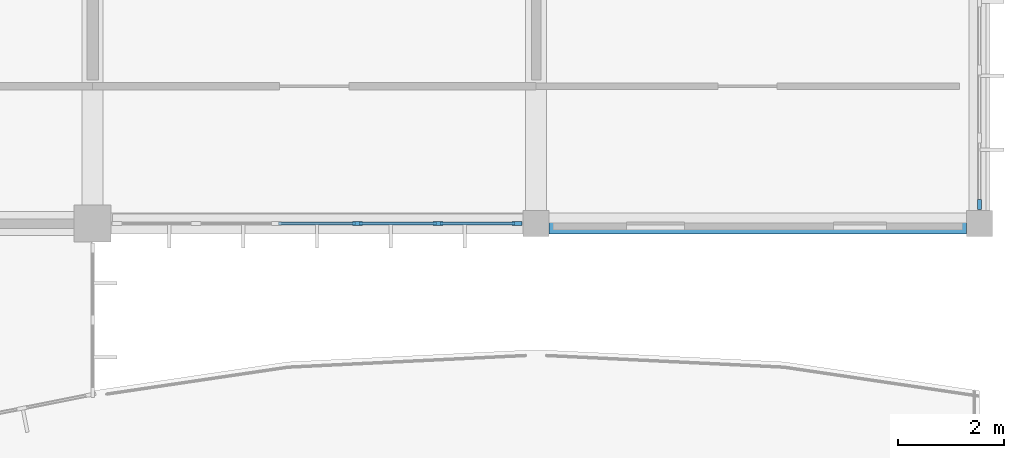
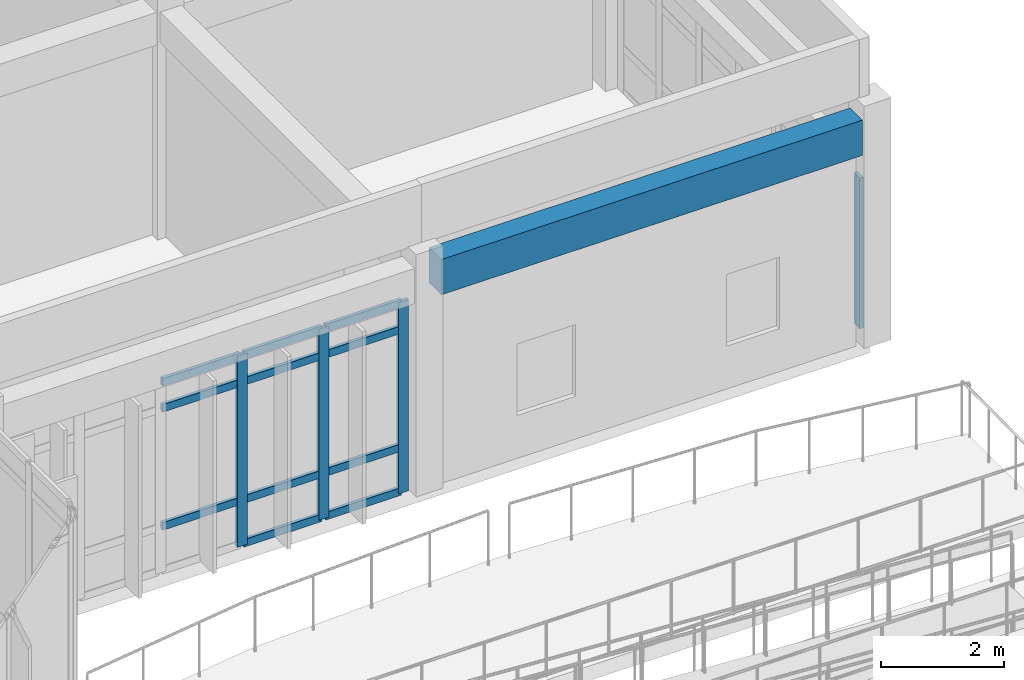
# One storey, part 57 of 138: 15 members, 1 beam, 2 elements without a shape of their own.
"""IFC4 building model written with IfcOpenShell, lengths in metres."""

from ifc_helpers import new_model, si_unit, direction, frame, origin, origin_2d, place, context, subcontext, project, spatial, rectangle, extrude, material, layer, layer_set, material_profile, profile_set, type_object, element, aggregate, save


model = new_model("IFC4")

# Units and contexts
model_context = context("Model", 3, precision=1e-05, world=origin(), true_north=direction((0.0, 1.0)))
body_context = subcontext(model_context, "Body", "Model", "MODEL_VIEW")
ifc_project = project(units=[si_unit("LENGTHUNIT", "METRE"), si_unit("AREAUNIT", "SQUARE_METRE"), si_unit("VOLUMEUNIT", "CUBIC_METRE"), si_unit("PLANEANGLEUNIT", "RADIAN"), si_unit("MASSUNIT", "GRAM", prefix="KILO")], contexts=[model_context])

# Site, building, storey
site_placement = place(None, origin())
site = spatial("IfcSite", under=ifc_project, at=site_placement, CompositionType="ELEMENT")
building_placement = place(site_placement, origin())
building = spatial("IfcBuilding", under=site, at=building_placement, Name="Bramfleet General Hospital", CompositionType="ELEMENT")
storey_placement = place(building_placement, origin())
storey = spatial("IfcBuildingStorey", under=building, at=storey_placement, Name="L00", CompositionType="ELEMENT", Elevation=0.0)

# Beam
ifc_material_1 = material(Name="Concrete C35/45", Category="concrete")
ifc_material_profile_1 = material_profile(ifc_material_1, rectangle(XDim=0.39990234375, YDim=0.699951171875, at=origin_2d()), Name="RC SP 700x400")
ifc_profile_set_1 = profile_set([ifc_material_profile_1], Name="Concrete C35/45")
beam_type = type_object("IfcBeamType", Name="BM-SP700", PredefinedType="SPANDREL", material=ifc_profile_set_1)
beam_placement = place(storey_placement, frame((176.64990234375, 92.39990234375, 4.14990234375), z_axis=(1.0, 0.0, 0.0), x_axis=(0.0, 1.0, 0.0)))
element("IfcBeam", 1, at=beam_placement, inside=storey, type_object=beam_type, Name="L00 Grid Beam X 21-11", PredefinedType="SPANDREL", context=body_context, shape_type="SweptSolid", body=[
    extrude(rectangle(XDim=0.39990234375, YDim=0.699951171875, at=origin_2d()), origin(), (0.0, 0.0, 1.0), 7.900146484375),
])

# Curtain wall, member
ifc_material_2 = material(Name="Anodised aluminium and low-E triple glazing", Category="aluminium")
ifc_layer_1 = layer(ifc_material_2, 0.179931640625, Name="CWT-CW-08")
ifc_layer_set_1 = layer_set([ifc_layer_1], Name="Anodised aluminium and low-E triple glazing")
curtain_wall_type_1 = type_object("IfcCurtainWallType", Name="CWT-CW-08", PredefinedType="USERDEFINED", material=ifc_layer_set_1)
curtain_wall_1_placement = place(storey_placement, origin())
curtain_wall_1 = element("IfcCurtainWall", 2, at=curtain_wall_1_placement, inside=storey, type_object=curtain_wall_type_1, Name="L00 Curtain Wall 8", ObjectType="Unitised curtain wall", PredefinedType="USERDEFINED")
ifc_material_3 = material(Name="Structural timber GL28h", Category="wood")
ifc_material_profile_2 = material_profile(ifc_material_3, rectangle(XDim=0.070068359375, YDim=0.18994140625, at=origin_2d()), Name="LARCH 190x70")
ifc_profile_set_2 = profile_set([ifc_material_profile_2], Name="Structural timber GL28h")
member_type_1 = type_object("IfcMemberType", Name="CWM-LARCH450", PredefinedType="MULLION", material=ifc_profile_set_2)
member_1_placement = place(storey_placement, frame((184.800048828125, 92.760009765625, 0.0), z_axis=(0.0, 0.0, 1.0), x_axis=(1.0, 0.0, 0.0)))
member_1 = element("IfcMember", 3, at=member_1_placement, type_object=member_type_1, Name="CW-08 mullion 7", PredefinedType="MULLION", context=body_context, shape_type="SweptSolid", body=[
    extrude(rectangle(XDim=0.070068359375, YDim=0.18994140625, at=origin_2d()), origin(), (0.0, 0.0, 1.0), 2.989990234375),
])
aggregate(curtain_wall_1, [member_1])

# Curtain wall, members
ifc_layer_2 = layer(ifc_material_2, 0.179931640625, Name="CWT-CW-09")
ifc_layer_set_2 = layer_set([ifc_layer_2], Name="Anodised aluminium and low-E triple glazing")
curtain_wall_type_2 = type_object("IfcCurtainWallType", Name="CWT-CW-09", PredefinedType="USERDEFINED", material=ifc_layer_set_2)
curtain_wall_2_placement = place(storey_placement, origin())
curtain_wall_2 = element("IfcCurtainWall", 4, at=curtain_wall_2_placement, inside=storey, type_object=curtain_wall_type_2, Name="L00 Curtain Wall 9", ObjectType="Unitised curtain wall", PredefinedType="USERDEFINED")
member_2_placement = place(storey_placement, frame((176.0400390625, 92.39990234375, 0.0), z_axis=(0.0, 0.0, 1.0), x_axis=(0.0, -1.0, 0.0)))
member_2 = element("IfcMember", 5, at=member_2_placement, type_object=member_type_1, Name="CW-09 mullion 1", PredefinedType="MULLION", context=body_context, shape_type="SweptSolid", body=[
    extrude(rectangle(XDim=0.070068359375, YDim=0.18994140625, at=origin_2d()), origin(), (0.0, 0.0, 1.0), 3.7900390625),
])
member_3_placement = place(storey_placement, frame((174.544921875, 92.39990234375, 0.0), z_axis=(0.0, 0.0, 1.0), x_axis=(0.0, -1.0, 0.0)))
member_3 = element("IfcMember", 6, at=member_3_placement, type_object=member_type_1, Name="CW-09 mullion 2", PredefinedType="MULLION", context=body_context, shape_type="SweptSolid", body=[
    extrude(rectangle(XDim=0.070068359375, YDim=0.18994140625, at=origin_2d()), origin(), (0.0, 0.0, 1.0), 3.7900390625),
])
member_4_placement = place(storey_placement, frame((173.014892578125, 92.39990234375, 0.0), z_axis=(0.0, 0.0, 1.0), x_axis=(0.0, -1.0, 0.0)))
member_4 = element("IfcMember", 7, at=member_4_placement, type_object=member_type_1, Name="CW-09 mullion 3", PredefinedType="MULLION", context=body_context, shape_type="SweptSolid", body=[
    extrude(rectangle(XDim=0.070068359375, YDim=0.18994140625, at=origin_2d()), origin(), (0.0, 0.0, 1.0), 3.7900390625),
])
ifc_material_profile_3 = material_profile(ifc_material_3, rectangle(XDim=0.06494140625, YDim=0.14990234375, at=origin_2d()), Name="LARCH 150x65")
ifc_profile_set_3 = profile_set([ifc_material_profile_3], Name="Structural timber GL28h")
member_type_2 = type_object("IfcMemberType", Name="CWT-LARCH220", PredefinedType="USERDEFINED", material=ifc_profile_set_3)
member_5_placement = place(storey_placement, frame((176.0048828125, 92.39990234375, 0.032470703125), z_axis=(-1.0, 0.0, 0.0), x_axis=(0.0, -1.0, 0.0)))
member_5 = element("IfcMember", 8, at=member_5_placement, type_object=member_type_2, Name="CW-09 transom 1.1", ObjectType="TRANSOM", PredefinedType="USERDEFINED", context=body_context, shape_type="SweptSolid", body=[
    extrude(rectangle(XDim=0.06494140625, YDim=0.14990234375, at=origin_2d()), origin(), (0.0, 0.0, 1.0), 1.4248046875),
])
member_6_placement = place(storey_placement, frame((176.0048828125, 92.39990234375, 0.89990234375), z_axis=(-1.0, 0.0, 0.0), x_axis=(0.0, -1.0, 0.0)))
member_6 = element("IfcMember", 9, at=member_6_placement, type_object=member_type_2, Name="CW-09 transom 1.2", ObjectType="TRANSOM", PredefinedType="USERDEFINED", context=body_context, shape_type="SweptSolid", body=[
    extrude(rectangle(XDim=0.06494140625, YDim=0.14990234375, at=origin_2d()), origin(), (0.0, 0.0, 1.0), 1.4248046875),
])
member_7_placement = place(storey_placement, frame((176.0048828125, 92.39990234375, 3.239990234375), z_axis=(-1.0, 0.0, 0.0), x_axis=(0.0, -1.0, 0.0)))
member_7 = element("IfcMember", 10, at=member_7_placement, type_object=member_type_2, Name="CW-09 transom 1.3", ObjectType="TRANSOM", PredefinedType="USERDEFINED", context=body_context, shape_type="SweptSolid", body=[
    extrude(rectangle(XDim=0.06494140625, YDim=0.14990234375, at=origin_2d()), origin(), (0.0, 0.0, 1.0), 1.4248046875),
])
member_8_placement = place(storey_placement, frame((176.0048828125, 92.39990234375, 3.757568359375), z_axis=(-1.0, 0.0, 0.0), x_axis=(0.0, -1.0, 0.0)))
member_8 = element("IfcMember", 11, at=member_8_placement, type_object=member_type_2, Name="CW-09 transom 1.4", ObjectType="TRANSOM", PredefinedType="USERDEFINED", context=body_context, shape_type="SweptSolid", body=[
    extrude(rectangle(XDim=0.06494140625, YDim=0.14990234375, at=origin_2d()), origin(), (0.0, 0.0, 1.0), 1.4248046875),
])
member_9_placement = place(storey_placement, frame((174.510009765625, 92.39990234375, 0.032470703125), z_axis=(-1.0, 0.0, 0.0), x_axis=(0.0, -1.0, 0.0)))
member_9 = element("IfcMember", 12, at=member_9_placement, type_object=member_type_2, Name="CW-09 transom 2.1", ObjectType="TRANSOM", PredefinedType="USERDEFINED", context=body_context, shape_type="SweptSolid", body=[
    extrude(rectangle(XDim=0.06494140625, YDim=0.14990234375, at=origin_2d()), origin(), (0.0, 0.0, 1.0), 1.4599609375),
])
member_10_placement = place(storey_placement, frame((174.510009765625, 92.39990234375, 0.89990234375), z_axis=(-1.0, 0.0, 0.0), x_axis=(0.0, -1.0, 0.0)))
member_10 = element("IfcMember", 13, at=member_10_placement, type_object=member_type_2, Name="CW-09 transom 2.2", ObjectType="TRANSOM", PredefinedType="USERDEFINED", context=body_context, shape_type="SweptSolid", body=[
    extrude(rectangle(XDim=0.06494140625, YDim=0.14990234375, at=origin_2d()), origin(), (0.0, 0.0, 1.0), 1.4599609375),
])
member_11_placement = place(storey_placement, frame((174.510009765625, 92.39990234375, 3.239990234375), z_axis=(-1.0, 0.0, 0.0), x_axis=(0.0, -1.0, 0.0)))
member_11 = element("IfcMember", 14, at=member_11_placement, type_object=member_type_2, Name="CW-09 transom 2.3", ObjectType="TRANSOM", PredefinedType="USERDEFINED", context=body_context, shape_type="SweptSolid", body=[
    extrude(rectangle(XDim=0.06494140625, YDim=0.14990234375, at=origin_2d()), origin(), (0.0, 0.0, 1.0), 1.4599609375),
])
member_12_placement = place(storey_placement, frame((174.510009765625, 92.39990234375, 3.757568359375), z_axis=(-1.0, 0.0, 0.0), x_axis=(0.0, -1.0, 0.0)))
member_12 = element("IfcMember", 15, at=member_12_placement, type_object=member_type_2, Name="CW-09 transom 2.4", ObjectType="TRANSOM", PredefinedType="USERDEFINED", context=body_context, shape_type="SweptSolid", body=[
    extrude(rectangle(XDim=0.06494140625, YDim=0.14990234375, at=origin_2d()), origin(), (0.0, 0.0, 1.0), 1.4599609375),
])
member_13_placement = place(storey_placement, frame((172.97998046875, 92.39990234375, 0.89990234375), z_axis=(-1.0, 0.0, 0.0), x_axis=(0.0, -1.0, 0.0)))
member_13 = element("IfcMember", 16, at=member_13_placement, type_object=member_type_2, Name="CW-09 transom 3.2", ObjectType="TRANSOM", PredefinedType="USERDEFINED", context=body_context, shape_type="SweptSolid", body=[
    extrude(rectangle(XDim=0.06494140625, YDim=0.14990234375, at=origin_2d()), origin(), (0.0, 0.0, 1.0), 1.4599609375),
])
member_14_placement = place(storey_placement, frame((172.97998046875, 92.39990234375, 3.239990234375), z_axis=(-1.0, 0.0, 0.0), x_axis=(0.0, -1.0, 0.0)))
member_14 = element("IfcMember", 17, at=member_14_placement, type_object=member_type_2, Name="CW-09 transom 3.3", ObjectType="TRANSOM", PredefinedType="USERDEFINED", context=body_context, shape_type="SweptSolid", body=[
    extrude(rectangle(XDim=0.06494140625, YDim=0.14990234375, at=origin_2d()), origin(), (0.0, 0.0, 1.0), 1.4599609375),
])
member_15_placement = place(storey_placement, frame((172.97998046875, 92.39990234375, 3.757568359375), z_axis=(-1.0, 0.0, 0.0), x_axis=(0.0, -1.0, 0.0)))
member_15 = element("IfcMember", 18, at=member_15_placement, type_object=member_type_2, Name="CW-09 transom 3.4", ObjectType="TRANSOM", PredefinedType="USERDEFINED", context=body_context, shape_type="SweptSolid", body=[
    extrude(rectangle(XDim=0.06494140625, YDim=0.14990234375, at=origin_2d()), origin(), (0.0, 0.0, 1.0), 1.4599609375),
])
aggregate(curtain_wall_2, [member_2, member_3, member_4, member_5, member_6, member_7, member_8, member_9, member_10, member_11, member_12, member_13, member_14, member_15])

save(model, "model.ifc")
